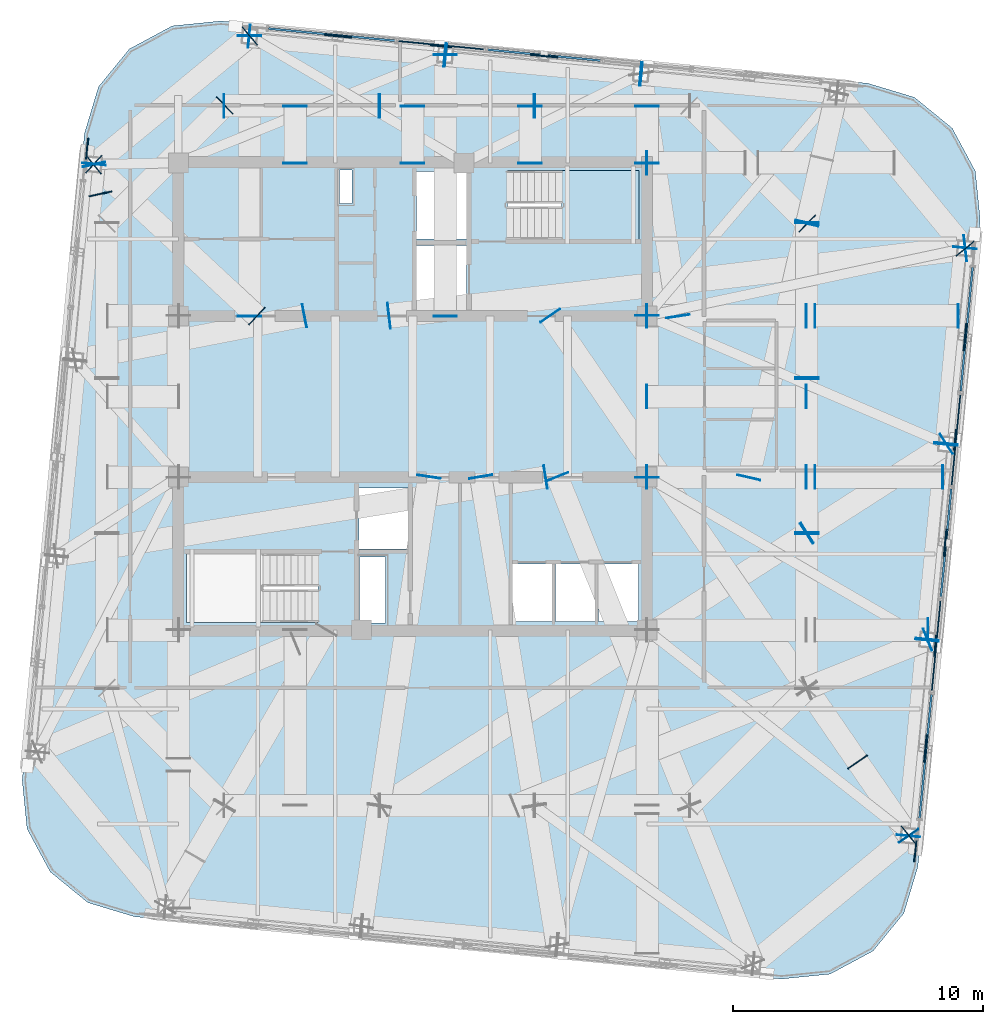
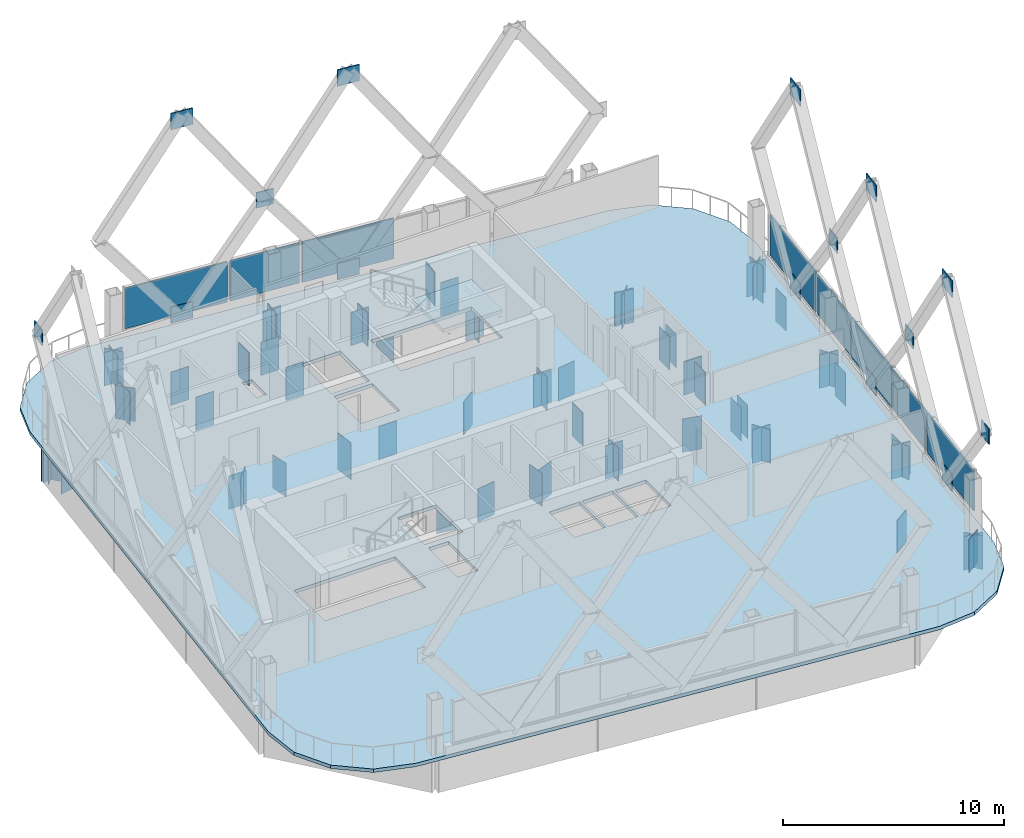
# One storey, part 24 of 31: 100 plates, 2 slabs, 9 elements without a shape of their own.
"""IFC4 building model written with IfcOpenShell, lengths in metres."""

from ifc_helpers import new_model, si_unit, direction, frame, origin, origin_2d, place, context, subcontext, project, spatial, polyline, rectangle, outline, extrude, material, layer, layer_set, type_object, element, aggregate, save


model = new_model("IFC4")

# Units and contexts
model_context = context("Model", 3, precision=1e-05, world=origin(), true_north=direction((0.0, 1.0)))
body_context = subcontext(model_context, "Body", "Model", "MODEL_VIEW")
ifc_project = project(units=[si_unit("LENGTHUNIT", "METRE"), si_unit("AREAUNIT", "SQUARE_METRE"), si_unit("VOLUMEUNIT", "CUBIC_METRE"), si_unit("PLANEANGLEUNIT", "RADIAN"), si_unit("MASSUNIT", "GRAM", prefix="KILO")], contexts=[model_context])

# Site, building, storey
site_placement = place(None, origin())
site = spatial("IfcSite", under=ifc_project, at=site_placement, CompositionType="ELEMENT")
building_placement = place(site_placement, origin())
building = spatial("IfcBuilding", under=site, at=building_placement, Name="Qhalaya Broadcast Tower", CompositionType="ELEMENT")
storey_placement = place(building_placement, frame((0.0, 0.0, 242.85009765625)))
storey = spatial("IfcBuildingStorey", under=building, at=storey_placement, Name="L71", CompositionType="ELEMENT", Elevation=242.85009765625)

# Plates
ifc_material_1 = material(Name="Structural Steel ASTM A572 Grade 50", Category="steel")
ifc_layer_1 = layer(ifc_material_1, 0.054931640625, Name="Structural Steel ASTM A572 Grade 50")
ifc_layer_set_1 = layer_set([ifc_layer_1], Name="Structural Steel ASTM A572 Grade 50")
plate_type_1 = type_object("IfcPlateType", Name="Exoskeleton Diamond Node Gusset Plate NP-01", PredefinedType="USERDEFINED", material=ifc_layer_set_1)
for number, where, z_axis, x_axis, name in (
    (1, (20.505615234375, -13.478515625, 0.2099609375), (0.0, 0.0, 1.0), (0.09584575252, 0.995396198367, 0.0), "Exoskeleton Diamond Node B6-E1-BOT"),
    (2, (20.505615234375, -13.478515625, 10.8798828125), (0.0, 0.0, 1.0), (0.09584575252, 0.995396198367, 0.0), "Exoskeleton Diamond Node B6-E1-TOP"),
):
    element("IfcPlate", number, at=place(storey_placement, frame(where, z_axis=z_axis, x_axis=x_axis)), inside=storey, type_object=plate_type_1, Name=name, ObjectType="GUSSET_PLATE", PredefinedType="USERDEFINED", context=body_context, shape_type="SweptSolid", body=[
        extrude(rectangle(XDim=1.10009765625, YDim=0.054931640625, at=origin_2d()), origin(), (0.0, 0.0, 1.0), 0.89990234375),
    ])
plate_1_placement = place(storey_placement, frame((20.109375, -17.5927734375, 5.329833984375), z_axis=(0.0, 0.0, 1.0), x_axis=(0.09584575252, 0.995396198367, 0.0)))
element("IfcPlate", 3, at=plate_1_placement, inside=storey, type_object=plate_type_1, Name="Exoskeleton Diamond Node B6-E1-MDL", ObjectType="GUSSET_PLATE", PredefinedType="USERDEFINED", context=body_context, shape_type="SweptSolid", body=[
    extrude(rectangle(XDim=0.85009765625, YDim=0.054931640625, at=origin_2d()), origin(), (0.0, 0.0, 1.0), 0.85009765625),
])
for number, where, z_axis, x_axis, name in (
    (4, (21.2978515625, -5.25, 0.2099609375), (0.0, 0.0, 1.0), (0.09584575252, 0.995396198367, 0.0), "Exoskeleton Diamond Node B6-E2-BOT"),
    (5, (21.2978515625, -5.25, 10.8798828125), (0.0, 0.0, 1.0), (0.09584575252, 0.995396198367, 0.0), "Exoskeleton Diamond Node B6-E2-TOP"),
):
    element("IfcPlate", number, at=place(storey_placement, frame(where, z_axis=z_axis, x_axis=x_axis)), inside=storey, type_object=plate_type_1, Name=name, ObjectType="GUSSET_PLATE", PredefinedType="USERDEFINED", context=body_context, shape_type="SweptSolid", body=[
        extrude(rectangle(XDim=1.10009765625, YDim=0.054931640625, at=origin_2d()), origin(), (0.0, 0.0, 1.0), 0.89990234375),
    ])
plate_2_placement = place(storey_placement, frame((20.901611328125, -9.3642578125, 5.329833984375), z_axis=(0.0, 0.0, 1.0), x_axis=(0.09584575252, 0.995396198367, 0.0)))
element("IfcPlate", 6, at=plate_2_placement, inside=storey, type_object=plate_type_1, Name="Exoskeleton Diamond Node B6-E2-MDL", ObjectType="GUSSET_PLATE", PredefinedType="USERDEFINED", context=body_context, shape_type="SweptSolid", body=[
    extrude(rectangle(XDim=0.85009765625, YDim=0.054931640625, at=origin_2d()), origin(), (0.0, 0.0, 1.0), 0.85009765625),
])
for number, where, z_axis, x_axis, name in (
    (7, (22.090087890625, 2.978759765625, 0.2099609375), (0.0, 0.0, 1.0), (0.09584575252, 0.995396198367, 0.0), "Exoskeleton Diamond Node B6-E3-BOT"),
    (8, (22.090087890625, 2.978759765625, 10.8798828125), (0.0, 0.0, 1.0), (0.09584575252, 0.995396198367, 0.0), "Exoskeleton Diamond Node B6-E3-TOP"),
):
    element("IfcPlate", number, at=place(storey_placement, frame(where, z_axis=z_axis, x_axis=x_axis)), inside=storey, type_object=plate_type_1, Name=name, ObjectType="GUSSET_PLATE", PredefinedType="USERDEFINED", context=body_context, shape_type="SweptSolid", body=[
        extrude(rectangle(XDim=1.10009765625, YDim=0.054931640625, at=origin_2d()), origin(), (0.0, 0.0, 1.0), 0.89990234375),
    ])
plate_3_placement = place(storey_placement, frame((21.694091796875, -1.135498046875, 5.329833984375), z_axis=(0.0, 0.0, 1.0), x_axis=(0.09584575252, 0.995396198367, 0.0)))
element("IfcPlate", 9, at=plate_3_placement, inside=storey, type_object=plate_type_1, Name="Exoskeleton Diamond Node B6-E3-MDL", ObjectType="GUSSET_PLATE", PredefinedType="USERDEFINED", context=body_context, shape_type="SweptSolid", body=[
    extrude(rectangle(XDim=0.85009765625, YDim=0.054931640625, at=origin_2d()), origin(), (0.0, 0.0, 1.0), 0.85009765625),
])
for number, where, z_axis, x_axis, name in (
    (10, (5.25, 14.218017578125, 0.2099609375), (0.0, 0.0, 1.0), (0.995396198367, -0.09584575252, 0.0), "Exoskeleton Diamond Node B6-N2-BOT"),
    (11, (5.25, 14.218017578125, 10.8798828125), (0.0, 0.0, 1.0), (0.995396198367, -0.09584575252, 0.0), "Exoskeleton Diamond Node B6-N2-TOP"),
    (12, (-2.978759765625, 15.01025390625, 0.2099609375), (0.0, 0.0, 1.0), (0.995396198367, -0.09584575252, 0.0), "Exoskeleton Diamond Node B6-N3-BOT"),
    (13, (-2.978759765625, 15.01025390625, 10.8798828125), (0.0, 0.0, 1.0), (0.995396198367, -0.09584575252, 0.0), "Exoskeleton Diamond Node B6-N3-TOP"),
):
    element("IfcPlate", number, at=place(storey_placement, frame(where, z_axis=z_axis, x_axis=x_axis)), inside=storey, type_object=plate_type_1, Name=name, ObjectType="GUSSET_PLATE", PredefinedType="USERDEFINED", context=body_context, shape_type="SweptSolid", body=[
        extrude(rectangle(XDim=1.10009765625, YDim=0.054931640625, at=origin_2d()), origin(), (0.0, 0.0, 1.0), 0.89990234375),
    ])
for number, where, z_axis, x_axis, name in (
    (14, (1.135498046875, 14.614013671875, 5.329833984375), (0.0, 0.0, 1.0), (0.995396198367, -0.09584575252, 0.0), "Exoskeleton Diamond Node B6-N3-MDL"),
    (15, (-13.029296875, 10.5126953125, 5.329833984375), (0.0, 0.0, 1.0), (0.09584575252, 0.995396198367, 0.0), "Exoskeleton Diamond Node B6-W1-MDL"),
):
    element("IfcPlate", number, at=place(storey_placement, frame(where, z_axis=z_axis, x_axis=x_axis)), inside=storey, type_object=plate_type_1, Name=name, ObjectType="GUSSET_PLATE", PredefinedType="USERDEFINED", context=body_context, shape_type="SweptSolid", body=[
        extrude(rectangle(XDim=0.85009765625, YDim=0.054931640625, at=origin_2d()), origin(), (0.0, 0.0, 1.0), 0.85009765625),
    ])
ifc_layer_2 = layer(ifc_material_1, 0.4599609375, Name="Structural Steel ASTM A572 Grade 50")
ifc_layer_set_2 = layer_set([ifc_layer_2], Name="Structural Steel ASTM A572 Grade 50")
plate_type_2 = type_object("IfcPlateType", Name="Hollow Box Member End Cap Plate CP-01", PredefinedType="USERDEFINED", material=ifc_layer_set_2)
for number, where, z_axis, x_axis, name in (
    (16, (19.8408203125, -16.952880859375, -2.01025390625), (0.0, 0.0, 1.0), (-0.636078220278, 0.771624583388, 0.0), "L71 Hollow Girder End Cap L71-SPR-04-B"),
    (17, (19.826904296875, -16.97900390625, -2.01025390625), (0.0, 0.0, 1.0), (-0.99539787104, 0.095828379565, 0.0), "L71 Hollow Girder End Cap L71-SPR-05-A"),
    (18, (20.583984375, -9.11669921875, -2.01025390625), (0.0, 0.0, 1.0), (-0.99539787104, 0.095828379565, 0.0), "L71 Hollow Girder End Cap L71-SPR-05-B"),
    (19, (20.580810546875, -9.1484375, -2.01025390625), (0.0, 0.0, 1.0), (-0.995396198367, 0.09584575252, 0.0), "L71 Hollow Girder End Cap L71-SPR-06-A"),
    (20, (21.337890625, -1.2861328125, -2.01025390625), (0.0, 0.0, 1.0), (-0.995396198367, 0.09584575252, 0.0), "L71 Hollow Girder End Cap L71-SPR-06-B"),
    (21, (21.3349609375, -1.318115234375, -2.01025390625), (0.0, 0.0, 1.0), (-0.995396198367, 0.09584575252, 0.0), "L71 Hollow Girder End Cap L71-SPR-07-A"),
    (22, (22.091796875, 6.544189453125, -2.01025390625), (0.0, 0.0, 1.0), (-0.995396198367, 0.09584575252, 0.0), "L71 Hollow Girder End Cap L71-SPR-07-B"),
    (23, (22.1005859375, 6.51611328125, -2.01025390625), (0.0, 0.0, 1.0), (-0.771624583388, -0.636078220278, 0.0), "L71 Hollow Girder End Cap L71-SPR-08-A"),
    (24, (9.11669921875, 13.50390625, -2.01025390625), (0.0, 0.0, 1.0), (-0.095828379565, -0.99539787104, 0.0), "L71 Hollow Girder End Cap L71-SPR-09-B"),
    (25, (9.1484375, 13.5009765625, -2.01025390625), (0.0, 0.0, 1.0), (-0.09584575252, -0.995396198367, 0.0), "L71 Hollow Girder End Cap L71-SPR-10-A"),
    (26, (1.2861328125, 14.2578125, -2.01025390625), (0.0, 0.0, 1.0), (-0.09584575252, -0.995396198367, 0.0), "L71 Hollow Girder End Cap L71-SPR-10-B"),
    (27, (1.318115234375, 14.2548828125, -2.01025390625), (0.0, 0.0, 1.0), (-0.09584575252, -0.995396198367, 0.0), "L71 Hollow Girder End Cap L71-SPR-11-A"),
    (28, (-6.544189453125, 15.011962890625, -2.01025390625), (0.0, 0.0, 1.0), (-0.09584575252, -0.995396198367, 0.0), "L71 Hollow Girder End Cap L71-SPR-11-B"),
    (29, (-6.51611328125, 15.0205078125, -2.01025390625), (0.0, 0.0, 1.0), (0.636078220278, -0.771624583388, 0.0), "L71 Hollow Girder End Cap L71-SPR-12-A"),
    (30, (-12.7607421875, 9.872802734375, -2.01025390625), (0.0, 0.0, 1.0), (0.636078220278, -0.771624583388, 0.0), "L71 Hollow Girder End Cap L71-SPR-12-B"),
    (31, (-12.7470703125, 9.89892578125, -2.01025390625), (0.0, 0.0, 1.0), (0.99539787104, -0.095828379565, 0.0), "L71 Hollow Girder End Cap L71-SPR-13-A"),
    (32, (15.77001953125, -4.85400390625, -2.01025390625), (0.0, 0.0, 1.0), (-1.0, 0.0, 0.0), "L71 Hollow Girder End Cap L71-TGL-05-B"),
    (33, (15.77001953125, -4.885986328125, -2.01025390625), (0.0, 0.0, 1.0), (-1.0, 0.0, 0.0), "L71 Hollow Girder End Cap L71-TGL-06-A"),
    (34, (15.77001953125, 1.345947265625, -2.01025390625), (0.0, 0.0, 1.0), (-1.0, 0.0, 0.0), "L71 Hollow Girder End Cap L71-TGL-06-B"),
    (35, (15.77001953125, 1.31396484375, -2.01025390625), (0.0, 0.0, 1.0), (-1.0, 0.0, 0.0), "L71 Hollow Girder End Cap L71-TGL-07-A"),
    (36, (15.77001953125, 7.5458984375, -2.01025390625), (0.0, 0.0, 1.0), (-1.0, 0.0, 0.0), "L71 Hollow Girder End Cap L71-TGL-07-B"),
    (37, (15.78125, 7.518798828125, -2.01025390625), (0.0, 0.0, 1.0), (-0.707106781187, -0.707106781187, 0.0), "L71 Hollow Girder End Cap L71-TGL-08-A"),
    (38, (4.85400390625, 12.22998046875, -2.01025390625), (0.0, 0.0, 1.0), (0.0, -1.0, 0.0), "L71 Hollow Girder End Cap L71-TGL-09-B"),
    (39, (4.885986328125, 12.22998046875, -2.01025390625), (0.0, 0.0, 1.0), (0.0, -1.0, 0.0), "L71 Hollow Girder End Cap L71-TGL-10-A"),
    (40, (-1.345947265625, 12.22998046875, -2.01025390625), (0.0, 0.0, 1.0), (0.0, -1.0, 0.0), "L71 Hollow Girder End Cap L71-TGL-10-B"),
    (41, (-1.31396484375, 12.22998046875, -2.01025390625), (0.0, 0.0, 1.0), (0.0, -1.0, 0.0), "L71 Hollow Girder End Cap L71-TGL-11-A"),
    (42, (-7.5458984375, 12.22998046875, -2.01025390625), (0.0, 0.0, 1.0), (0.0, -1.0, 0.0), "L71 Hollow Girder End Cap L71-TGL-11-B"),
    (43, (-7.518798828125, 12.2412109375, -2.01025390625), (0.0, 0.0, 1.0), (0.707106781187, -0.707106781187, 0.0), "L71 Hollow Girder End Cap L71-TGL-12-A"),
    (44, (9.375, 9.93408203125, -2.01025390625), (0.0, 0.0, 1.0), (-1.0, 0.0, 0.0), "L71 Hollow Girder End Cap L71-TGINE-1-A"),
    (45, (9.375, 12.2060546875, -2.01025390625), (0.0, 0.0, 1.0), (-1.0, 0.0, 0.0), "L71 Hollow Girder End Cap L71-TGINE-1-B"),
    (46, (0.0, 9.93408203125, -2.01025390625), (0.0, 0.0, 1.0), (-1.0, 0.0, 0.0), "L71 Hollow Girder End Cap L71-TGIMN-1-A"),
    (47, (0.0, 12.2060546875, -2.01025390625), (0.0, 0.0, 1.0), (-1.0, 0.0, 0.0), "L71 Hollow Girder End Cap L71-TGIMN-1-B"),
    (48, (-4.699951171875, 9.93408203125, -2.01025390625), (0.0, 0.0, 1.0), (-1.0, 0.0, 0.0), "L71 Hollow Girder End Cap L71-TGIMNW-1-A"),
    (49, (-4.699951171875, 12.2060546875, -2.01025390625), (0.0, 0.0, 1.0), (-1.0, 0.0, 0.0), "L71 Hollow Girder End Cap L71-TGIMNW-1-B"),
    (50, (4.699951171875, 9.93408203125, -2.01025390625), (0.0, 0.0, 1.0), (-1.0, 0.0, 0.0), "L71 Hollow Girder End Cap L71-TGIMNE-1-A"),
    (51, (4.699951171875, 12.2060546875, -2.01025390625), (0.0, 0.0, 1.0), (-1.0, 0.0, 0.0), "L71 Hollow Girder End Cap L71-TGIMNE-1-B"),
    (52, (9.35888671875, 0.60009765625, -2.01025390625), (0.0, 0.0, 1.0), (0.0, 1.0, 0.0), "L71 Hollow Girder End Cap L71-TGIYE-1-A"),
    (53, (15.74609375, 0.60009765625, -2.01025390625), (0.0, 0.0, 1.0), (0.0, 1.0, 0.0), "L71 Hollow Girder End Cap L71-TGIYE-1-B"),
    (54, (9.375, -2.64111328125, -2.01025390625), (0.0, 0.0, 1.0), (-1.0, 0.0, 0.0), "L71 Hollow Girder End Cap L71-TGIME-1-A"),
    (55, (9.375, 3.841064453125, -2.01025390625), (0.0, 0.0, 1.0), (-1.0, 0.0, 0.0), "L71 Hollow Girder End Cap L71-TGIME-1-B"),
    (56, (9.35888671875, -2.625, -2.01025390625), (0.0, 0.0, 1.0), (0.0, 1.0, 0.0), "L71 Hollow Girder End Cap L71-TGIY2E-1-A"),
    (57, (15.74609375, -2.625, -2.01025390625), (0.0, 0.0, 1.0), (0.0, 1.0, 0.0), "L71 Hollow Girder End Cap L71-TGIY2E-1-B"),
    (58, (9.35888671875, 3.824951171875, -2.01025390625), (0.0, 0.0, 1.0), (0.0, 1.0, 0.0), "L71 Hollow Girder End Cap L71-TGIY3E-1-A"),
    (59, (15.74609375, 3.824951171875, -2.01025390625), (0.0, 0.0, 1.0), (0.0, 1.0, 0.0), "L71 Hollow Girder End Cap L71-TGIY3E-1-B"),
    (60, (9.35888671875, 9.949951171875, -2.01025390625), (0.0, 0.0, 1.0), (0.0, 1.0, 0.0), "L71 Hollow Girder End Cap L71-TGIY4E-1-A"),
    (61, (0.64599609375, -2.609130859375, -2.01025390625), (0.0, 0.0, 1.0), (0.988917614937, -0.148465318734, 0.0), "L71 Hollow Girder End Cap L71-TGA-02-A"),
    (62, (2.723388671875, -2.609130859375, -2.01025390625), (0.0, 0.0, 1.0), (0.986957060278, 0.160983729511, 0.0), "L71 Hollow Girder End Cap L71-TGA-03-A"),
    (63, (5.78466796875, -2.610107421875, -2.01025390625), (0.0, 0.0, 1.0), (0.927959890314, 0.37268007992, 0.0), "L71 Hollow Girder End Cap L71-TGA-04-A"),
    (64, (5.502685546875, 3.838134765625, -2.01025390625), (0.0, 0.0, 1.0), (0.823582098047, 0.56719708019, 0.0), "L71 Hollow Girder End Cap L71-TGA-05-A"),
    (65, (19.837646484375, -16.976318359375, -2.01025390625), (0.0, 0.0, 1.0), (0.823582098047, 0.56719708019, 0.0), "L71 Hollow Girder End Cap L71-TGC-05-B"),
):
    element("IfcPlate", number, at=place(storey_placement, frame(where, z_axis=z_axis, x_axis=x_axis)), inside=storey, type_object=plate_type_2, Name=name, ObjectType="COVER_PLATE", PredefinedType="USERDEFINED", context=body_context, shape_type="SweptSolid", body=[
        extrude(rectangle(XDim=0.93994140625, YDim=0.031982421875, at=origin_2d()), origin(), (0.0, 0.0, 1.0), 1.840087890625),
    ])
plate_4_placement = place(storey_placement, frame((19.82861328125, -16.962890625, -1.990234375), z_axis=(0.0, 0.0, 1.0), x_axis=(0.823582098047, 0.56719708019, 0.0)))
element("IfcPlate", 66, at=plate_4_placement, inside=storey, type_object=plate_type_2, Name="L71 Transfer Box End Cap 05", ObjectType="COVER_PLATE", PredefinedType="USERDEFINED", context=body_context, shape_type="SweptSolid", body=[
    extrude(rectangle(XDim=0.919921875, YDim=0.035888671875, at=origin_2d()), origin(), (0.0, 0.0, 1.0), 1.800048828125),
])
for number, where, z_axis, x_axis, name in (
    (67, (20.59716796875, -9.12646484375, -2.01025390625), (0.0, 0.0, 1.0), (-0.373473545352, 0.927640830776, 0.0), "L71 Hollow Girder End Cap L71-TGC-06-B"),
    (68, (15.783447265625, -4.861328125, -2.01025390625), (0.0, 0.0, 1.0), (-0.539638009724, 0.841897154326, 0.0), "L71 Hollow Girder End Cap L71-TGA-07-B"),
    (69, (15.756591796875, -4.878662109375, -2.01025390625), (0.0, 0.0, 1.0), (-0.539638009724, 0.841897154326, 0.0), "L71 Hollow Girder End Cap L71-TGC-07-A"),
    (70, (21.349853515625, -1.29345703125, -2.01025390625), (0.0, 0.0, 1.0), (-0.539638009724, 0.841897154326, 0.0), "L71 Hollow Girder End Cap L71-TGC-07-B"),
):
    element("IfcPlate", number, at=place(storey_placement, frame(where, z_axis=z_axis, x_axis=x_axis)), inside=storey, type_object=plate_type_2, Name=name, ObjectType="COVER_PLATE", PredefinedType="USERDEFINED", context=body_context, shape_type="SweptSolid", body=[
        extrude(rectangle(XDim=0.93994140625, YDim=0.031982421875, at=origin_2d()), origin(), (0.0, 0.0, 1.0), 1.840087890625),
    ])
for number, where, z_axis, x_axis, name in (
    (71, (-0.947021484375, 3.822998046875, -2.210205078125), (0.0, 0.0, 1.0), (-0.116636068833, 0.99317472151, 0.0), "L71 Hollow Girder End Cap L71-TGA-08-A"),
    (72, (22.106201171875, 6.5302734375, -2.210205078125), (0.0, 0.0, 1.0), (-0.116636068833, 0.99317472151, 0.0), "L71 Hollow Girder End Cap L71-TGA-08-B"),
):
    element("IfcPlate", number, at=place(storey_placement, frame(where, z_axis=z_axis, x_axis=x_axis)), inside=storey, type_object=plate_type_2, Name=name, ObjectType="COVER_PLATE", PredefinedType="USERDEFINED", context=body_context, shape_type="SweptSolid", body=[
        extrude(rectangle(XDim=1.0400390625, YDim=0.031982421875, at=origin_2d()), origin(), (0.0, 0.0, 1.0), 2.0400390625),
    ])
for number, where, z_axis, x_axis, name in (
    (73, (13.44482421875, -2.640625, -2.01025390625), (0.0, 0.0, 1.0), (-0.974850733991, 0.222858803812, 0.0), "L71 Hollow Girder End Cap L71-TGA-09-A"),
    (74, (15.773681640625, 7.545654296875, -2.01025390625), (0.0, 0.0, 1.0), (-0.974850733991, 0.222858803812, 0.0), "L71 Hollow Girder End Cap L71-TGA-09-B"),
    (75, (15.766357421875, 7.514404296875, -2.01025390625), (0.0, 0.0, 1.0), (-0.974850733991, 0.222858803812, 0.0), "L71 Hollow Girder End Cap L71-TGC-09-A"),
    (76, (10.608154296875, 3.80908203125, -2.01025390625), (0.0, 0.0, 1.0), (-0.988609755291, -0.150501666909, 0.0), "L71 Hollow Girder End Cap L71-TGA-10-A"),
    (77, (1.302001953125, 3.80908203125, -2.01025390625), (0.0, 0.0, 1.0), (-1.0, 0.0, 0.0), "L71 Hollow Girder End Cap L71-TGA-11-A"),
    (78, (1.302001953125, 14.2724609375, -2.01025390625), (0.0, 0.0, 1.0), (-1.0, 0.0, 0.0), "L71 Hollow Girder End Cap L71-TGA-11-B"),
    (79, (-6.5283203125, 3.80908203125, -2.01025390625), (0.0, 0.0, 1.0), (-1.0, 0.0, 0.0), "L71 Hollow Girder End Cap L71-TGA-12-A"),
    (80, (-6.5283203125, 15.0263671875, -2.01025390625), (0.0, 0.0, 1.0), (-1.0, 0.0, 0.0), "L71 Hollow Girder End Cap L71-TGA-12-B"),
    (81, (-6.238525390625, 3.814208984375, -2.01025390625), (0.0, 0.0, 1.0), (-0.681896237174, -0.731448919425, 0.0), "L71 Hollow Girder End Cap L71-TGA-13-A"),
    (82, (-12.76025390625, 9.893798828125, -2.01025390625), (0.0, 0.0, 1.0), (-0.681896237174, -0.731448919425, 0.0), "L71 Hollow Girder End Cap L71-TGA-13-B"),
):
    element("IfcPlate", number, at=place(storey_placement, frame(where, z_axis=z_axis, x_axis=x_axis)), inside=storey, type_object=plate_type_2, Name=name, ObjectType="COVER_PLATE", PredefinedType="USERDEFINED", context=body_context, shape_type="SweptSolid", body=[
        extrude(rectangle(XDim=0.93994140625, YDim=0.031982421875, at=origin_2d()), origin(), (0.0, 0.0, 1.0), 1.840087890625),
    ])
plate_5_placement = place(storey_placement, frame((-12.74853515625, 9.883056640625, -1.990234375), z_axis=(0.0, 0.0, 1.0), x_axis=(-0.976570978256, -0.215195549275, 0.0)))
element("IfcPlate", 83, at=plate_5_placement, inside=storey, type_object=plate_type_2, Name="L71 Transfer Box End Cap 13", ObjectType="COVER_PLATE", PredefinedType="USERDEFINED", context=body_context, shape_type="SweptSolid", body=[
    extrude(rectangle(XDim=0.919921875, YDim=0.035888671875, at=origin_2d()), origin(), (0.0, 0.0, 1.0), 1.800048828125),
])
for number, where, z_axis, x_axis, name in (
    (84, (-4.329833984375, 3.827880859375, -2.01025390625), (0.0, 0.0, 1.0), (0.190037968418, -0.981776741708, 0.0), "L71 Hollow Girder End Cap L71-TGA-14-A"),
    (85, (5.315673828125, -2.62255859375, -2.01025390625), (0.0, 0.0, 1.0), (0.15917476692, -0.987250420904, 0.0), "L71 Hollow Girder End Cap L71-TGA-15-A"),
    (86, (20.614990234375, -8.75, -2.01025390625), (0.0, 0.0, 1.0), (0.0, 1.0, 0.0), "L71 Hollow Girder End Cap L71-PGYE1-OV1-B"),
    (87, (16.093994140625, -2.625, -2.01025390625), (0.0, 0.0, 1.0), (0.0, 1.0, 0.0), "L71 Hollow Girder End Cap L71-PGYE2-OV1-A"),
    (88, (21.204833984375, -2.625, -2.01025390625), (0.0, 0.0, 1.0), (0.0, 1.0, 0.0), "L71 Hollow Girder End Cap L71-PGYE2-OV1-B"),
    (89, (16.093994140625, 3.824951171875, -2.01025390625), (0.0, 0.0, 1.0), (0.0, 1.0, 0.0), "L71 Hollow Girder End Cap L71-PGYE3-OV1-A"),
    (90, (21.825927734375, 3.824951171875, -2.01025390625), (0.0, 0.0, 1.0), (0.0, 1.0, 0.0), "L71 Hollow Girder End Cap L71-PGYE3-OV1-B"),
):
    element("IfcPlate", number, at=place(storey_placement, frame(where, z_axis=z_axis, x_axis=x_axis)), inside=storey, type_object=plate_type_2, Name=name, ObjectType="COVER_PLATE", PredefinedType="USERDEFINED", context=body_context, shape_type="SweptSolid", body=[
        extrude(rectangle(XDim=0.93994140625, YDim=0.031982421875, at=origin_2d()), origin(), (0.0, 0.0, 1.0), 1.840087890625),
    ])

# Curtain wall, plate
ifc_material_2 = material(Name="Fired Architectural Terracotta", Category="masonry")
ifc_layer_3 = layer(ifc_material_2, 0.219970703125, Name="Fired Architectural Terracotta")
ifc_layer_set_3 = layer_set([ifc_layer_3], Name="Fired Architectural Terracotta")
curtain_wall_type_1 = type_object("IfcCurtainWallType", Name="Block-Cap Unitised Terracotta Spandrel Wall CW-07", PredefinedType="NOTDEFINED", material=ifc_layer_set_3)
curtain_wall_1_placement = place(storey_placement, origin())
curtain_wall_1 = element("IfcCurtainWall", 91, at=curtain_wall_1_placement, inside=storey, type_object=curtain_wall_type_1, Name="L71 Unitised Curtain Wall L71-CW-E1", PredefinedType="NOTDEFINED")
ifc_layer_4 = layer(ifc_material_2, 0.080078125, Name="Fired Architectural Terracotta")
ifc_layer_set_4 = layer_set([ifc_layer_4], Name="Fired Architectural Terracotta")
plate_type_3 = type_object("IfcPlateType", Name="Insulated Terracotta Spandrel Panel TSP-07", PredefinedType="CURTAIN_PANEL", material=ifc_layer_set_4)
plate_6_placement = place(storey_placement, frame((20.514892578125, -13.79931640625, 0.554931640625), z_axis=(0.0, 0.0, 1.0), x_axis=(0.095847607498, 0.995396019751, 0.0)))
plate_6 = element("IfcPlate", 92, at=plate_6_placement, type_object=plate_type_3, Name="CW-07 panel 1.1", PredefinedType="CURTAIN_PANEL", context=body_context, shape_type="SweptSolid", body=[
    extrude(rectangle(XDim=4.97998046875, YDim=0.080078125, at=origin_2d()), origin(), (0.0, 0.0, 1.0), 2.22998046875),
])
aggregate(curtain_wall_1, [plate_6])

curtain_wall_2_placement = place(storey_placement, origin())
curtain_wall_2 = element("IfcCurtainWall", 93, at=curtain_wall_2_placement, inside=storey, type_object=curtain_wall_type_1, Name="L71 Unitised Curtain Wall L71-CW-E3", PredefinedType="NOTDEFINED")
plate_7_placement = place(storey_placement, frame((21.337646484375, -5.253662109375, 0.554931640625), z_axis=(0.0, 0.0, 1.0), x_axis=(0.09586123001, 0.995394707933, 0.0)))
plate_7 = element("IfcPlate", 94, at=plate_7_placement, type_object=plate_type_3, Name="CW-07 panel 1.1", PredefinedType="CURTAIN_PANEL", context=body_context, shape_type="SweptSolid", body=[
    extrude(rectangle(XDim=4.343994140625, YDim=0.080078125, at=origin_2d()), origin(), (0.0, 0.0, 1.0), 2.22998046875),
])
aggregate(curtain_wall_2, [plate_7])

curtain_wall_3_placement = place(storey_placement, origin())
curtain_wall_3 = element("IfcCurtainWall", 95, at=curtain_wall_3_placement, inside=storey, type_object=curtain_wall_type_1, Name="L71 Unitised Curtain Wall L71-CW-E5", PredefinedType="NOTDEFINED")
plate_8_placement = place(storey_placement, frame((22.16064453125, 3.291748046875, 0.554931640625), z_axis=(0.0, 0.0, 1.0), x_axis=(0.095847607498, 0.995396019751, 0.0)))
plate_8 = element("IfcPlate", 96, at=plate_8_placement, type_object=plate_type_3, Name="CW-07 panel 1.1", PredefinedType="CURTAIN_PANEL", context=body_context, shape_type="SweptSolid", body=[
    extrude(rectangle(XDim=4.97998046875, YDim=0.080078125, at=origin_2d()), origin(), (0.0, 0.0, 1.0), 2.22998046875),
])
aggregate(curtain_wall_3, [plate_8])

curtain_wall_4_placement = place(storey_placement, origin())
curtain_wall_4 = element("IfcCurtainWall", 97, at=curtain_wall_4_placement, inside=storey, type_object=curtain_wall_type_1, Name="L71 Unitised Curtain Wall L71-CW-N3", PredefinedType="NOTDEFINED")
plate_9_placement = place(storey_placement, frame((5.253662109375, 14.2578125, 0.554931640625), z_axis=(0.0, 0.0, 1.0), x_axis=(-0.995394786046, 0.095860418903, 0.0)))
plate_9 = element("IfcPlate", 98, at=plate_9_placement, type_object=plate_type_3, Name="CW-07 panel 1.1", PredefinedType="CURTAIN_PANEL", context=body_context, shape_type="SweptSolid", body=[
    extrude(rectangle(XDim=4.535888671875, YDim=0.080078125, at=origin_2d()), origin(), (0.0, 0.0, 1.0), 2.22998046875),
])
aggregate(curtain_wall_4, [plate_9])

curtain_wall_5_placement = place(storey_placement, origin())
curtain_wall_5 = element("IfcCurtainWall", 99, at=curtain_wall_5_placement, inside=storey, type_object=curtain_wall_type_1, Name="L71 Unitised Curtain Wall L71-CW-N5", PredefinedType="NOTDEFINED")
plate_10_placement = place(storey_placement, frame((-3.243896484375, 15.075927734375, 0.554931640625), z_axis=(0.0, 0.0, 1.0), x_axis=(-0.995395942778, 0.095848406879, 0.0)))
plate_10 = element("IfcPlate", 100, at=plate_10_placement, type_object=plate_type_3, Name="CW-07 panel 1.1", PredefinedType="CURTAIN_PANEL", context=body_context, shape_type="SweptSolid", body=[
    extrude(rectangle(XDim=5.075927734375, YDim=0.080078125, at=origin_2d()), origin(), (0.0, 0.0, 1.0), 2.22998046875),
])
aggregate(curtain_wall_5, [plate_10])

ifc_material_3 = material(Name="Solar-Control Low-E Triple Glazing", Category="glass")
ifc_layer_5 = layer(ifc_material_3, 0.219970703125, Name="Solar-Control Low-E Triple Glazing")
ifc_layer_set_5 = layer_set([ifc_layer_5], Name="Solar-Control Low-E Triple Glazing")
curtain_wall_type_2 = type_object("IfcCurtainWallType", Name="High-Altitude Upper-Shaft Triple Low-E Curtain Wall CW-04", PredefinedType="NOTDEFINED", material=ifc_layer_set_5)
curtain_wall_6_placement = place(storey_placement, origin())
curtain_wall_6 = element("IfcCurtainWall", 101, at=curtain_wall_6_placement, inside=storey, type_object=curtain_wall_type_2, Name="L71 Unitised Curtain Wall L71-CW-E2", PredefinedType="NOTDEFINED")
ifc_layer_6 = layer(ifc_material_3, 0.0419921875, Name="Solar-Control Low-E Triple Glazing")
ifc_layer_set_6 = layer_set([ifc_layer_6], Name="Solar-Control Low-E Triple Glazing")
plate_type_4 = type_object("IfcPlateType", Name="Solar-Control Curtain Glazing Panel GLP-04", PredefinedType="CURTAIN_PANEL", material=ifc_layer_set_6)
plate_11_placement = place(storey_placement, frame((20.94140625, -9.3681640625, 0.554931640625), z_axis=(0.0, 0.0, 1.0), x_axis=(0.095839673292, 0.995396783712, 0.0)))
plate_11 = element("IfcPlate", 102, at=plate_11_placement, type_object=plate_type_4, Name="CW-04 panel 1.1", PredefinedType="CURTAIN_PANEL", context=body_context, shape_type="SweptSolid", body=[
    extrude(rectangle(XDim=3.623046875, YDim=0.0419921875, at=origin_2d()), origin(), (0.0, 0.0, 1.0), 2.22998046875),
])
aggregate(curtain_wall_6, [plate_11])

curtain_wall_7_placement = place(storey_placement, origin())
curtain_wall_7 = element("IfcCurtainWall", 103, at=curtain_wall_7_placement, inside=storey, type_object=curtain_wall_type_2, Name="L71 Unitised Curtain Wall L71-CW-E4", PredefinedType="NOTDEFINED")
plate_12_placement = place(storey_placement, frame((21.73388671875, -1.139404296875, 0.554931640625), z_axis=(0.0, 0.0, 1.0), x_axis=(0.095839673292, 0.995396783712, 0.0)))
plate_12 = element("IfcPlate", 104, at=plate_12_placement, type_object=plate_type_4, Name="CW-04 panel 1.1", PredefinedType="CURTAIN_PANEL", context=body_context, shape_type="SweptSolid", body=[
    extrude(rectangle(XDim=3.623046875, YDim=0.0419921875, at=origin_2d()), origin(), (0.0, 0.0, 1.0), 2.22998046875),
])
aggregate(curtain_wall_7, [plate_12])

curtain_wall_8_placement = place(storey_placement, origin())
curtain_wall_8 = element("IfcCurtainWall", 105, at=curtain_wall_8_placement, inside=storey, type_object=curtain_wall_type_2, Name="L71 Unitised Curtain Wall L71-CW-N4", PredefinedType="NOTDEFINED")
plate_13_placement = place(storey_placement, frame((1.13916015625, 14.65380859375, 0.554931640625), z_axis=(0.0, 0.0, 1.0), x_axis=(-0.995396792791, 0.095839578992, 0.0)))
plate_13 = element("IfcPlate", 106, at=plate_13_placement, type_object=plate_type_4, Name="CW-04 panel 1.1", PredefinedType="CURTAIN_PANEL", context=body_context, shape_type="SweptSolid", body=[
    extrude(rectangle(XDim=3.430908203125, YDim=0.0419921875, at=origin_2d()), origin(), (0.0, 0.0, 1.0), 2.22998046875),
])
aggregate(curtain_wall_8, [plate_13])

# Stair, slab
ifc_material_4 = material(Name="Concrete C40/50", Category="concrete")
stair_type = type_object("IfcStairType", Name="Protected Dogleg Core Stair 3150", PredefinedType="TWO_STRAIGHT_RUN_STAIR", material=ifc_material_4)
stair_placement = place(storey_placement, origin())
stair = element("IfcStair", 107, at=stair_placement, inside=storey, type_object=stair_type, Name="L71 North Core Exit Stair ST-1", PredefinedType="TWO_STRAIGHT_RUN_STAIR")
ifc_layer_7 = layer(ifc_material_4, 0.199951171875, Name="Concrete C40/50")
ifc_layer_set_7 = layer_set([ifc_layer_7], Name="Concrete C40/50")
slab_type_1 = type_object("IfcSlabType", Name="Stair & Ramp Half-Landing Slab 200", PredefinedType="LANDING", material=ifc_layer_set_7)
slab_1_placement = place(storey_placement, frame((0.0, 0.0, 1.324951171875)))
slab_1 = element("IfcSlab", 108, at=slab_1_placement, type_object=slab_type_1, Name="ST-1 landing 1", PredefinedType="LANDING", context=body_context, shape_type="SweptSolid", body=[
    extrude(outline(polyline([(5.955078125, 6.8798828125), (9.050048828125, 6.8798828125), (9.050048828125, 9.639892578125), (5.955078125, 9.639892578125), (5.955078125, 6.8798828125)])), origin(), (0.0, 0.0, 1.0), 0.199951171875),
])
aggregate(stair, [slab_1])

# Plates
ifc_layer_8 = layer(ifc_material_1, 0.044921875, Name="Structural Steel ASTM A572 Grade 50")
ifc_layer_set_8 = layer_set([ifc_layer_8], Name="Structural Steel ASTM A572 Grade 50")
plate_type_5 = type_object("IfcPlateType", Name="Transfer Girder Web Stiffener Plate WS-01", PredefinedType="USERDEFINED", material=ifc_layer_set_8)
for number, where, z_axis, x_axis, name in (
    (109, (17.79931640625, -14.0166015625, -1.990234375), (0.0, 0.0, 1.0), (0.823582098047, 0.56719708019, 0.0), "L71 Transfer Girder Stiffener 05"),
    (110, (-12.4892578125, 8.70654296875, -1.990234375), (0.0, 0.0, 1.0), (-0.976570978256, -0.215195549275, 0.0), "L71 Transfer Girder Stiffener 13"),
):
    element("IfcPlate", number, at=place(storey_placement, frame(where, z_axis=z_axis, x_axis=x_axis)), inside=storey, type_object=plate_type_5, Name=name, ObjectType="STIFFENER_PLATE", PredefinedType="USERDEFINED", context=body_context, shape_type="SweptSolid", body=[
        extrude(rectangle(XDim=0.93994140625, YDim=0.044921875, at=origin_2d()), origin(), (0.0, 0.0, 1.0), 1.800048828125),
    ])

# Slab
ifc_layer_9 = layer(ifc_material_4, 0.18994140625, Name="Concrete C40/50")
ifc_layer_set_9 = layer_set([ifc_layer_9], Name="Concrete C40/50")
slab_type_2 = type_object("IfcSlabType", Name="Upper Tower Composite Floor Slab 190", PredefinedType="FLOOR", material=ifc_layer_set_9)
slab_2_placement = place(storey_placement, frame((0.0, 0.0, -0.190185546875)))
element("IfcSlab", 111, at=slab_2_placement, inside=storey, type_object=slab_type_2, Name="L71 Main Structural Floor Slab", PredefinedType="FLOOR", context=body_context, shape_type="SweptSolid", body=[
    extrude(outline(polyline([(14.7548828125, -22.703125), (16.696044921875, -22.5078125), (18.41455078125, -21.584228515625), (19.64892578125, -20.073486328125), (20.211181640625, -18.205322265625), (22.703125, 7.6748046875), (22.5078125, 9.615966796875), (21.584228515625, 11.33447265625), (20.073486328125, 12.56884765625), (18.205322265625, 13.131103515625), (-7.6748046875, 15.623046875), (-9.615966796875, 15.427734375), (-11.33447265625, 14.50439453125), (-12.56884765625, 12.993408203125), (-13.131103515625, 11.12548828125), (-15.623046875, -14.7548828125), (-15.427734375, -16.696044921875), (-14.50439453125, -18.41455078125), (-12.993408203125, -19.64892578125), (-11.12548828125, -20.211181640625), (14.7548828125, -22.703125)]), holes=[polyline([(3.784912109375, 9.639892578125), (9.050048828125, 9.639892578125), (9.050048828125, 6.8798828125), (3.784912109375, 6.8798828125), (3.784912109375, 9.639892578125)]), polyline([(-3.784912109375, -8.43994140625), (-9.050048828125, -8.43994140625), (-9.050048828125, -5.679931640625), (-3.784912109375, -5.679931640625), (-3.784912109375, -8.43994140625)]), polyline([(0.14990234375, 6.64990234375), (2.14990234375, 6.64990234375), (2.14990234375, 4.199951171875), (0.14990234375, 4.199951171875), (0.14990234375, 6.64990234375)]), polyline([(0.14990234375, 9.60009765625), (2.14990234375, 9.60009765625), (2.14990234375, 6.89990234375), (0.14990234375, 6.89990234375), (0.14990234375, 9.60009765625)]), polyline([(-2.14990234375, -3.050048828125), (-0.14990234375, -3.050048828125), (-0.14990234375, -5.5), (-2.14990234375, -5.5), (-2.14990234375, -3.050048828125)]), polyline([(4.0, -6.10009765625), (5.60009765625, -6.10009765625), (5.60009765625, -8.39990234375), (4.0, -8.39990234375), (4.0, -6.10009765625)]), polyline([(5.719970703125, -6.10009765625), (7.320068359375, -6.10009765625), (7.320068359375, -8.39990234375), (5.719970703125, -8.39990234375), (5.719970703125, -6.10009765625)]), polyline([(7.43994140625, -6.10009765625), (9.0400390625, -6.10009765625), (9.0400390625, -8.39990234375), (7.43994140625, -8.39990234375), (7.43994140625, -6.10009765625)]), polyline([(-2.919921875, 9.659912109375), (-2.419921875, 9.659912109375), (-2.419921875, 8.320068359375), (-2.919921875, 8.320068359375), (-2.919921875, 9.659912109375)]), polyline([(-2.1201171875, -5.820068359375), (-1.080078125, -5.820068359375), (-1.080078125, -8.4599609375), (-2.1201171875, -8.4599609375), (-2.1201171875, -5.820068359375)])]), origin(), (0.0, 0.0, 1.0), 0.190185546875),
])

save(model, "model.ifc")
